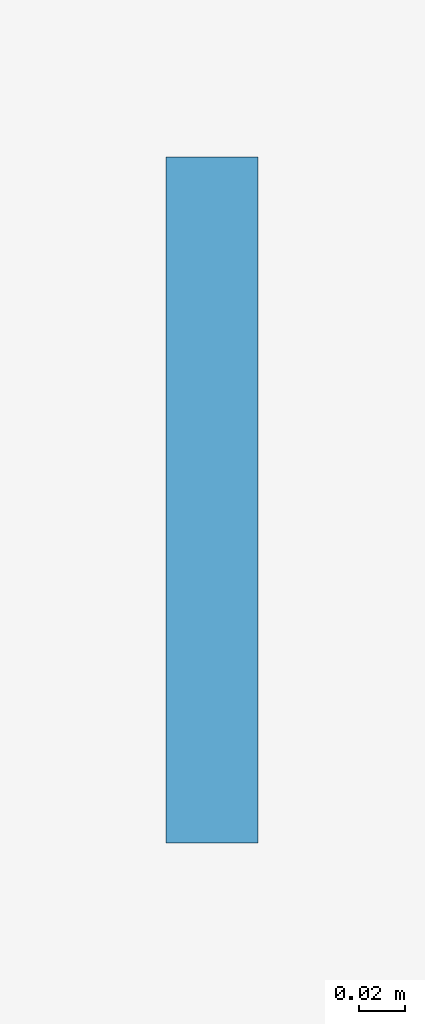
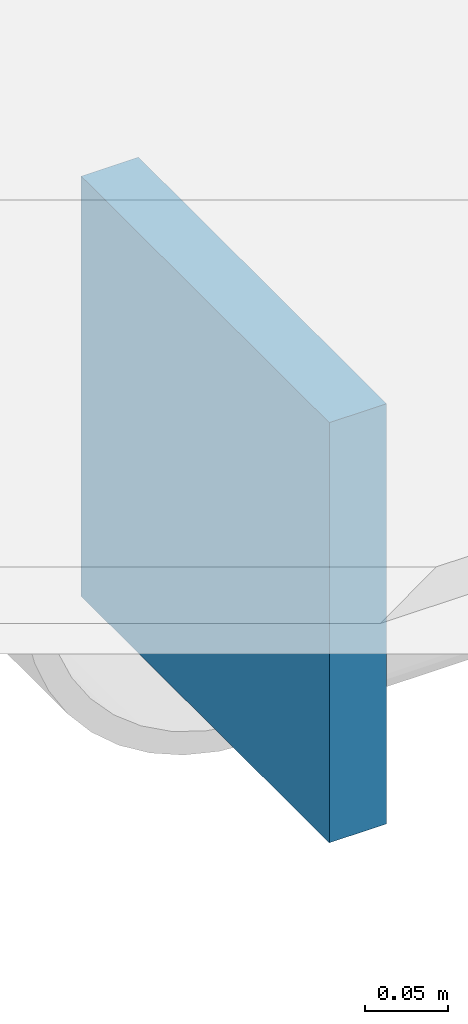
# One storey, part 17 of 25: 1 plate.
"""IFC4 building model written with IfcOpenShell, lengths in metres."""

from ifc_helpers import new_model, si_unit, direction, frame, origin, origin_2d, place, context, subcontext, project, spatial, rectangle, extrude, material, layer, layer_set, type_object, element, save


model = new_model("IFC4")

# Units and contexts
model_context = context("Model", 3, precision=1e-05, world=origin(), true_north=direction((0.0, 1.0)))
body_context = subcontext(model_context, "Body", "Model", "MODEL_VIEW")
ifc_project = project(units=[si_unit("LENGTHUNIT", "METRE"), si_unit("AREAUNIT", "SQUARE_METRE"), si_unit("VOLUMEUNIT", "CUBIC_METRE"), si_unit("PLANEANGLEUNIT", "RADIAN"), si_unit("MASSUNIT", "GRAM", prefix="KILO"), si_unit("THERMODYNAMICTEMPERATUREUNIT", "KELVIN"), si_unit("POWERUNIT", "WATT")], contexts=[model_context])

# Site, building, storey
site_placement = place(None, origin())
site = spatial("IfcSite", under=ifc_project, at=site_placement, CompositionType="ELEMENT")
building_placement = place(site_placement, origin())
building = spatial("IfcBuilding", under=site, at=building_placement, Name="Svarakhadi Broadcast Tower", CompositionType="ELEMENT")
storey_placement = place(building_placement, frame((0.0, 0.0, 227.39990234375)))
storey = spatial("IfcBuildingStorey", under=building, at=storey_placement, Name="L56", CompositionType="ELEMENT", Elevation=227.39990234375)

# Plate
ifc_material = material(Name="Steel S460ML (IS 2062 E450BR)", Category="steel")
ifc_layer = layer(ifc_material, 0.028076171875)
ifc_layer_set = layer_set([ifc_layer], Name="Steel S460ML (IS 2062 E450BR)")
plate_type = type_object("IfcPlateType", Name="Cap_Plate_CP02", PredefinedType="USERDEFINED", material=ifc_layer_set)
plate_placement = place(storey_placement, frame((29.985107421875, -1.800048828125, -0.5048828125), z_axis=(0.0, 0.0, 1.0), x_axis=(1.0, 0.0, 0.0)))
element("IfcPlate", 1, at=plate_placement, inside=storey, type_object=plate_type, Name="L56 Balcony Spandrel End Cap Plate 1F-A", ObjectType="FLANGE_PLATE", PredefinedType="USERDEFINED", context=body_context, shape_type="SweptSolid", body=[
    extrude(rectangle(XDim=0.0400390625, YDim=0.300048828125, at=origin_2d()), origin(), (0.0, 0.0, 1.0), 0.31005859375),
])

save(model, "model.ifc")
